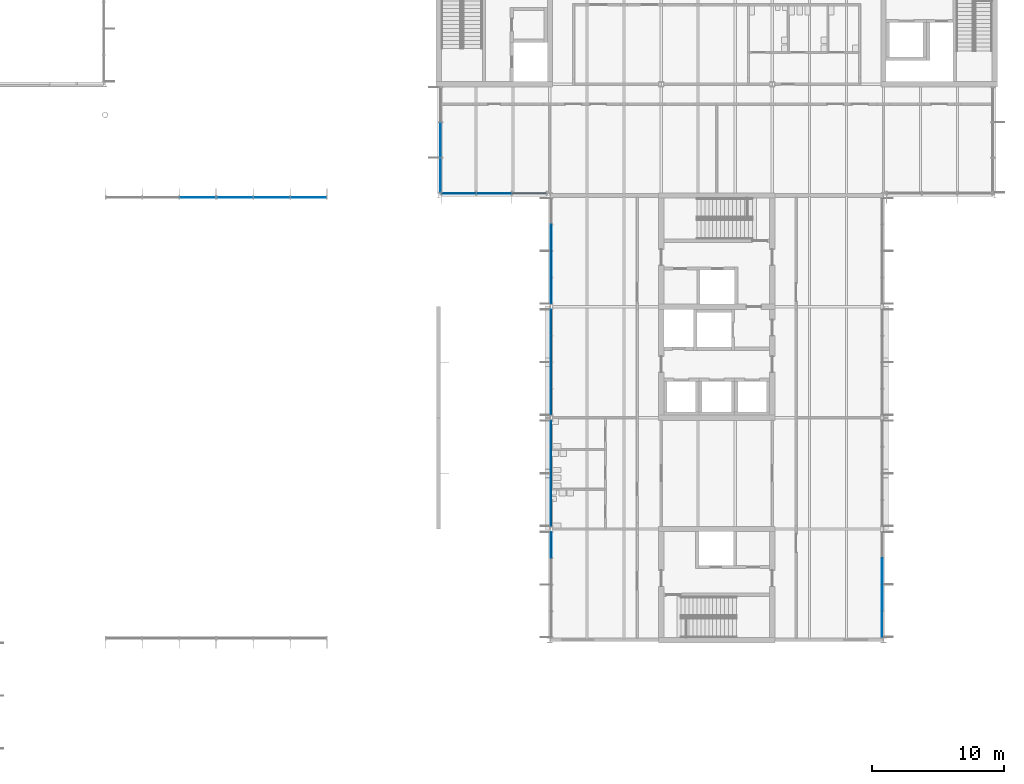
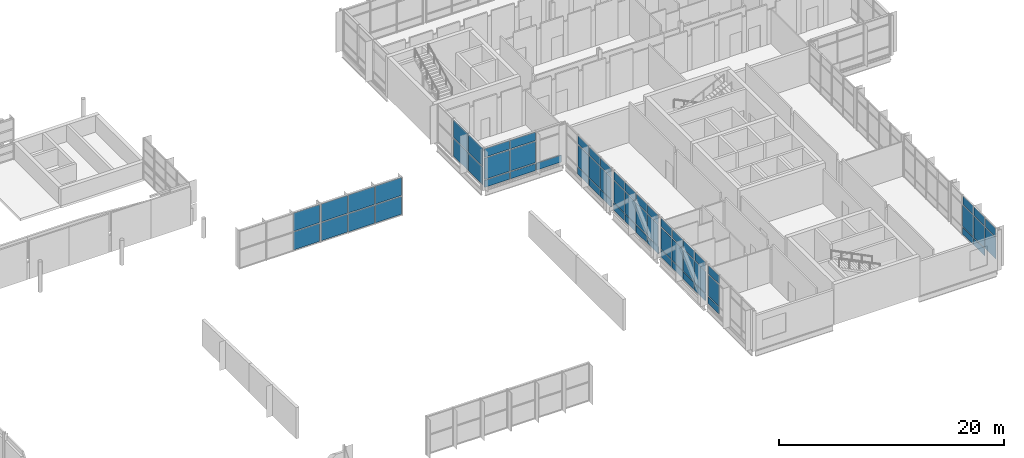
# One storey, part 33 of 72: 63 plates, 9 elements without a shape of their own.
"""IFC4 building model written with IfcOpenShell, lengths in metres."""

from ifc_helpers import new_model, si_unit, direction, frame, origin, origin_2d, place, context, subcontext, project, spatial, rectangle, extrude, material, layer, layer_set, type_object, element, aggregate, save


model = new_model("IFC4")

# Units and contexts
model_context = context("Model", 3, precision=1e-05, world=origin(), true_north=direction((0.0, 1.0)))
body_context = subcontext(model_context, "Body", "Model", "MODEL_VIEW")
ifc_project = project(units=[si_unit("LENGTHUNIT", "METRE"), si_unit("AREAUNIT", "SQUARE_METRE"), si_unit("VOLUMEUNIT", "CUBIC_METRE"), si_unit("PLANEANGLEUNIT", "RADIAN"), si_unit("MASSUNIT", "GRAM", prefix="KILO")], contexts=[model_context])

# Site, building, storey
site_placement = place(None, origin())
site = spatial("IfcSite", under=ifc_project, at=site_placement, CompositionType="ELEMENT")
building_placement = place(site_placement, origin())
building = spatial("IfcBuilding", under=site, at=building_placement, Name="Hlaing Beacon Police Headquarters", CompositionType="ELEMENT")
storey_placement = place(building_placement, frame((0.0, 0.0, 14.39990234375)))
storey = spatial("IfcBuildingStorey", under=building, at=storey_placement, Name="L03", CompositionType="ELEMENT", Elevation=14.39990234375)

# Curtain wall, plate
ifc_material_1 = material(Name="Aluminium frame with solar control glazing", Category="aluminium")
curtain_wall_type_1 = type_object("IfcCurtainWallType", Name="Unitised curtain wall 8.00 x 4.37", PredefinedType="NOTDEFINED", material=ifc_material_1)
curtain_wall_1_placement = place(storey_placement, origin())
curtain_wall_1 = element("IfcCurtainWall", 1, at=curtain_wall_1_placement, inside=storey, type_object=curtain_wall_type_1, Name="ENV-CW-L03-E021", PredefinedType="NOTDEFINED")
ifc_material_2 = material(Name="Solar control glazing", Category="glass")
ifc_layer_1 = layer(ifc_material_2, 0.0439453125)
ifc_layer_set_1 = layer_set([ifc_layer_1], Name="Solar control glazing")
plate_type_1 = type_object("IfcPlateType", Name="Clear glazing panel 44", PredefinedType="CURTAIN_PANEL", material=ifc_layer_set_1)
plate_1_placement = place(storey_placement, frame((125.89990234375, 36.808837890625, 0.9501953125), z_axis=(0.0, 0.0, 1.0), x_axis=(0.0, 1.0, 0.0)))
plate_1 = element("IfcPlate", 2, at=plate_1_placement, type_object=plate_type_1, Name="CW-L03-E021 panel 2.2", PredefinedType="CURTAIN_PANEL", context=body_context, shape_type="SweptSolid", body=[
    extrude(rectangle(XDim=1.940185546875, YDim=0.0439453125, at=origin_2d()), origin(), (0.0, 0.0, 1.0), 2.300048828125),
])

# Curtain wall, plates
ifc_material_3 = material(Name="Aluminium frame with solar control glazing", Category="aluminium")
curtain_wall_type_2 = type_object("IfcCurtainWallType", Name="Unitised curtain wall 8.02 x 4.37", PredefinedType="NOTDEFINED", material=ifc_material_3)
curtain_wall_2_placement = place(storey_placement, origin())
curtain_wall_2 = element("IfcCurtainWall", 3, at=curtain_wall_2_placement, inside=storey, type_object=curtain_wall_type_2, Name="ENV-CW-L03-W036", PredefinedType="NOTDEFINED")
plate_2_placement = place(storey_placement, frame((100.89990234375, 64.004638671875, 0.9501953125), z_axis=(0.0, 0.0, 1.0), x_axis=(0.0, -1.0, 0.0)))
plate_2 = element("IfcPlate", 4, at=plate_2_placement, type_object=plate_type_1, Name="CW-L03-W036 panel 2.2", PredefinedType="CURTAIN_PANEL", context=body_context, shape_type="SweptSolid", body=[
    extrude(rectangle(XDim=1.94580078125, YDim=0.0439453125, at=origin_2d()), origin(), (0.0, 0.0, 1.0), 2.300048828125),
])
plate_3_placement = place(storey_placement, frame((100.89990234375, 60.00830078125, 0.9501953125), z_axis=(0.0, 0.0, 1.0), x_axis=(0.0, -1.0, 0.0)))
plate_3 = element("IfcPlate", 5, at=plate_3_placement, type_object=plate_type_1, Name="CW-L03-W036 panel 4.2", PredefinedType="CURTAIN_PANEL", context=body_context, shape_type="SweptSolid", body=[
    extrude(rectangle(XDim=1.915771484375, YDim=0.0439453125, at=origin_2d()), origin(), (0.0, 0.0, 1.0), 2.300048828125),
])

curtain_wall_3_placement = place(storey_placement, origin())
curtain_wall_3 = element("IfcCurtainWall", 6, at=curtain_wall_3_placement, inside=storey, type_object=curtain_wall_type_2, Name="ENV-CW-L03-W037", PredefinedType="NOTDEFINED")
plate_4_placement = place(storey_placement, frame((100.889892578125, 55.602294921875, 0.9501953125), z_axis=(0.0, 0.0, 1.0), x_axis=(0.0, -1.0, 0.0)))
plate_4 = element("IfcPlate", 7, at=plate_4_placement, type_object=plate_type_1, Name="CW-L03-W037 panel 2.2", PredefinedType="CURTAIN_PANEL", context=body_context, shape_type="SweptSolid", body=[
    extrude(rectangle(XDim=1.94482421875, YDim=0.0439453125, at=origin_2d()), origin(), (0.0, 0.0, 1.0), 2.300048828125),
])
plate_5_placement = place(storey_placement, frame((100.889892578125, 51.60791015625, 0.9501953125), z_axis=(0.0, 0.0, 1.0), x_axis=(0.0, -1.0, 0.0)))
plate_5 = element("IfcPlate", 8, at=plate_5_placement, type_object=plate_type_1, Name="CW-L03-W037 panel 4.2", PredefinedType="CURTAIN_PANEL", context=body_context, shape_type="SweptSolid", body=[
    extrude(rectangle(XDim=1.914794921875, YDim=0.0439453125, at=origin_2d()), origin(), (0.0, 0.0, 1.0), 2.300048828125),
])

curtain_wall_4_placement = place(storey_placement, origin())
curtain_wall_4 = element("IfcCurtainWall", 9, at=curtain_wall_4_placement, inside=storey, type_object=curtain_wall_type_2, Name="ENV-CW-L03-W038", PredefinedType="NOTDEFINED")
plate_6_placement = place(storey_placement, frame((100.889892578125, 47.202392578125, 0.9501953125), z_axis=(0.0, 0.0, 1.0), x_axis=(0.0, -1.0, 0.0)))
plate_6 = element("IfcPlate", 10, at=plate_6_placement, type_object=plate_type_1, Name="CW-L03-W038 panel 2.2", PredefinedType="CURTAIN_PANEL", context=body_context, shape_type="SweptSolid", body=[
    extrude(rectangle(XDim=1.94482421875, YDim=0.0439453125, at=origin_2d()), origin(), (0.0, 0.0, 1.0), 2.300048828125),
])
plate_7_placement = place(storey_placement, frame((100.889892578125, 43.207763671875, 0.9501953125), z_axis=(0.0, 0.0, 1.0), x_axis=(0.0, -1.0, 0.0)))
plate_7 = element("IfcPlate", 11, at=plate_7_placement, type_object=plate_type_1, Name="CW-L03-W038 panel 4.2", PredefinedType="CURTAIN_PANEL", context=body_context, shape_type="SweptSolid", body=[
    extrude(rectangle(XDim=1.914794921875, YDim=0.0439453125, at=origin_2d()), origin(), (0.0, 0.0, 1.0), 2.300048828125),
])

# Plate
ifc_material_4 = material(Name="Fritted solar control glazing", Category="glass")
ifc_layer_2 = layer(ifc_material_4, 0.0439453125)
ifc_layer_set_2 = layer_set([ifc_layer_2], Name="Fritted solar control glazing")
plate_type_2 = type_object("IfcPlateType", Name="Fritted glazing panel 44", PredefinedType="CURTAIN_PANEL", material=ifc_layer_set_2)
plate_8_placement = place(storey_placement, frame((125.89990234375, 34.823486328125, 0.9501953125), z_axis=(0.0, 0.0, 1.0), x_axis=(0.0, 1.0, 0.0)))
plate_8 = element("IfcPlate", 12, at=plate_8_placement, type_object=plate_type_2, Name="CW-L03-E021 panel 1.2", PredefinedType="CURTAIN_PANEL", context=body_context, shape_type="SweptSolid", body=[
    extrude(rectangle(XDim=1.910400390625, YDim=0.0439453125, at=origin_2d()), origin(), (0.0, 0.0, 1.0), 2.300048828125),
])

plate_9_placement = place(storey_placement, frame((125.89990234375, 38.80908203125, 0.9501953125), z_axis=(0.0, 0.0, 1.0), x_axis=(0.0, 1.0, 0.0)))
plate_9 = element("IfcPlate", 13, at=plate_9_placement, type_object=plate_type_2, Name="CW-L03-E021 panel 3.2", PredefinedType="CURTAIN_PANEL", context=body_context, shape_type="SweptSolid", body=[
    extrude(rectangle(XDim=1.940185546875, YDim=0.0439453125, at=origin_2d()), origin(), (0.0, 0.0, 1.0), 2.300048828125),
])

plate_10_placement = place(storey_placement, frame((100.89990234375, 61.9990234375, 0.9501953125), z_axis=(0.0, 0.0, 1.0), x_axis=(0.0, -1.0, 0.0)))
plate_10 = element("IfcPlate", 14, at=plate_10_placement, type_object=plate_type_2, Name="CW-L03-W036 panel 3.2", PredefinedType="CURTAIN_PANEL", context=body_context, shape_type="SweptSolid", body=[
    extrude(rectangle(XDim=1.94580078125, YDim=0.0439453125, at=origin_2d()), origin(), (0.0, 0.0, 1.0), 2.300048828125),
])

plate_11_placement = place(storey_placement, frame((100.889892578125, 57.592041015625, 0.9501953125), z_axis=(0.0, 0.0, 1.0), x_axis=(0.0, -1.0, 0.0)))
plate_11 = element("IfcPlate", 15, at=plate_11_placement, type_object=plate_type_2, Name="CW-L03-W037 panel 1.2", PredefinedType="CURTAIN_PANEL", context=body_context, shape_type="SweptSolid", body=[
    extrude(rectangle(XDim=1.914794921875, YDim=0.0439453125, at=origin_2d()), origin(), (0.0, 0.0, 1.0), 2.300048828125),
])

plate_12_placement = place(storey_placement, frame((100.889892578125, 53.59765625, 0.9501953125), z_axis=(0.0, 0.0, 1.0), x_axis=(0.0, -1.0, 0.0)))
plate_12 = element("IfcPlate", 16, at=plate_12_placement, type_object=plate_type_2, Name="CW-L03-W037 panel 3.2", PredefinedType="CURTAIN_PANEL", context=body_context, shape_type="SweptSolid", body=[
    extrude(rectangle(XDim=1.94482421875, YDim=0.0439453125, at=origin_2d()), origin(), (0.0, 0.0, 1.0), 2.300048828125),
])

plate_13_placement = place(storey_placement, frame((100.889892578125, 49.192138671875, 0.9501953125), z_axis=(0.0, 0.0, 1.0), x_axis=(0.0, -1.0, 0.0)))
plate_13 = element("IfcPlate", 17, at=plate_13_placement, type_object=plate_type_2, Name="CW-L03-W038 panel 1.2", PredefinedType="CURTAIN_PANEL", context=body_context, shape_type="SweptSolid", body=[
    extrude(rectangle(XDim=1.914794921875, YDim=0.0439453125, at=origin_2d()), origin(), (0.0, 0.0, 1.0), 2.300048828125),
])

plate_14_placement = place(storey_placement, frame((100.889892578125, 45.197509765625, 0.9501953125), z_axis=(0.0, 0.0, 1.0), x_axis=(0.0, -1.0, 0.0)))
plate_14 = element("IfcPlate", 18, at=plate_14_placement, type_object=plate_type_2, Name="CW-L03-W038 panel 3.2", PredefinedType="CURTAIN_PANEL", context=body_context, shape_type="SweptSolid", body=[
    extrude(rectangle(XDim=1.94482421875, YDim=0.0439453125, at=origin_2d()), origin(), (0.0, 0.0, 1.0), 2.300048828125),
])

# Curtain wall, plate
curtain_wall_5_placement = place(storey_placement, origin())
curtain_wall_5 = element("IfcCurtainWall", 19, at=curtain_wall_5_placement, inside=storey, type_object=curtain_wall_type_2, Name="ENV-CW-L03-W039", PredefinedType="NOTDEFINED")
plate_15_placement = place(storey_placement, frame((100.89990234375, 40.791748046875, 0.9501953125), z_axis=(0.0, 0.0, 1.0), x_axis=(0.0, -1.0, 0.0)))
plate_15 = element("IfcPlate", 20, at=plate_15_placement, type_object=plate_type_2, Name="CW-L03-W039 panel 1.2", PredefinedType="CURTAIN_PANEL", context=body_context, shape_type="SweptSolid", body=[
    extrude(rectangle(XDim=1.915771484375, YDim=0.0439453125, at=origin_2d()), origin(), (0.0, 0.0, 1.0), 2.300048828125),
])

# Plate
ifc_material_5 = material(Name="Insulated aluminium spandrel", Category="aluminium")
ifc_layer_3 = layer(ifc_material_5, 0.06005859375)
ifc_layer_set_3 = layer_set([ifc_layer_3], Name="Insulated aluminium spandrel")
plate_type_3 = type_object("IfcPlateType", Name="Insulated spandrel panel 60", PredefinedType="CURTAIN_PANEL", material=ifc_layer_set_3)
plate_16_placement = place(storey_placement, frame((125.89990234375, 36.808837890625, 0.10009765625), z_axis=(0.0, 0.0, 1.0), x_axis=(0.0, 1.0, 0.0)))
plate_16 = element("IfcPlate", 21, at=plate_16_placement, type_object=plate_type_3, Name="CW-L03-E021 panel 2.1", PredefinedType="CURTAIN_PANEL", context=body_context, shape_type="SweptSolid", body=[
    extrude(rectangle(XDim=1.940185546875, YDim=0.06005859375, at=origin_2d()), origin(), (0.0, 0.0, 1.0), 0.75),
])

plate_17_placement = place(storey_placement, frame((125.89990234375, 38.80908203125, 0.10009765625), z_axis=(0.0, 0.0, 1.0), x_axis=(0.0, 1.0, 0.0)))
plate_17 = element("IfcPlate", 22, at=plate_17_placement, type_object=plate_type_3, Name="CW-L03-E021 panel 3.1", PredefinedType="CURTAIN_PANEL", context=body_context, shape_type="SweptSolid", body=[
    extrude(rectangle(XDim=1.940185546875, YDim=0.06005859375, at=origin_2d()), origin(), (0.0, 0.0, 1.0), 0.75),
])

# Curtain wall, plates
ifc_material_6 = material(Name="Aluminium frame with solar control glazing", Category="aluminium")
curtain_wall_type_3 = type_object("IfcCurtainWallType", Name="Structural glazed gable wall 8.06 x 4.37", PredefinedType="NOTDEFINED", material=ifc_material_6)
curtain_wall_6_placement = place(storey_placement, origin())
curtain_wall_6 = element("IfcCurtainWall", 23, at=curtain_wall_6_placement, inside=storey, type_object=curtain_wall_type_3, Name="ENV-CW-L03-S035", PredefinedType="NOTDEFINED")
ifc_material_7 = material(Name="Insulated aluminium spandrel", Category="aluminium")
ifc_layer_4 = layer(ifc_material_7, 0.080078125)
ifc_layer_set_4 = layer_set([ifc_layer_4], Name="Insulated aluminium spandrel")
plate_type_4 = type_object("IfcPlateType", Name="Insulated spandrel panel 80", PredefinedType="CURTAIN_PANEL", material=ifc_layer_set_4)
plate_18_placement = place(storey_placement, frame((93.913818359375, 67.35009765625, 0.10009765625), z_axis=(0.0, 0.0, 1.0), x_axis=(1.0, 0.0, 0.0)))
plate_18 = element("IfcPlate", 24, at=plate_18_placement, type_object=plate_type_4, Name="CW-L03-S035 panel 1.1", PredefinedType="CURTAIN_PANEL", context=body_context, shape_type="SweptSolid", body=[
    extrude(rectangle(XDim=2.56787109375, YDim=0.080078125, at=origin_2d()), origin(), (0.0, 0.0, 1.0), 0.75),
])
plate_19_placement = place(storey_placement, frame((96.58154296875, 67.35009765625, 0.10009765625), z_axis=(0.0, 0.0, 1.0), x_axis=(1.0, 0.0, 0.0)))
plate_19 = element("IfcPlate", 25, at=plate_19_placement, type_object=plate_type_4, Name="CW-L03-S035 panel 2.1", PredefinedType="CURTAIN_PANEL", context=body_context, shape_type="SweptSolid", body=[
    extrude(rectangle(XDim=2.607666015625, YDim=0.080078125, at=origin_2d()), origin(), (0.0, 0.0, 1.0), 0.75),
])
plate_20_placement = place(storey_placement, frame((99.24951171875, 67.35009765625, 0.10009765625), z_axis=(0.0, 0.0, 1.0), x_axis=(1.0, 0.0, 0.0)))
plate_20 = element("IfcPlate", 26, at=plate_20_placement, type_object=plate_type_4, Name="CW-L03-S035 panel 3.1", PredefinedType="CURTAIN_PANEL", context=body_context, shape_type="SweptSolid", body=[
    extrude(rectangle(XDim=2.56787109375, YDim=0.080078125, at=origin_2d()), origin(), (0.0, 0.0, 1.0), 0.75),
])

# Plate
plate_21_placement = place(storey_placement, frame((100.89990234375, 64.004638671875, 0.10009765625), z_axis=(0.0, 0.0, 1.0), x_axis=(0.0, -1.0, 0.0)))
plate_21 = element("IfcPlate", 27, at=plate_21_placement, type_object=plate_type_4, Name="CW-L03-W036 panel 2.1", PredefinedType="CURTAIN_PANEL", context=body_context, shape_type="SweptSolid", body=[
    extrude(rectangle(XDim=1.94580078125, YDim=0.080078125, at=origin_2d()), origin(), (0.0, 0.0, 1.0), 0.75),
])

plate_22_placement = place(storey_placement, frame((100.89990234375, 61.9990234375, 0.10009765625), z_axis=(0.0, 0.0, 1.0), x_axis=(0.0, -1.0, 0.0)))
plate_22 = element("IfcPlate", 28, at=plate_22_placement, type_object=plate_type_4, Name="CW-L03-W036 panel 3.1", PredefinedType="CURTAIN_PANEL", context=body_context, shape_type="SweptSolid", body=[
    extrude(rectangle(XDim=1.94580078125, YDim=0.080078125, at=origin_2d()), origin(), (0.0, 0.0, 1.0), 0.75),
])

plate_23_placement = place(storey_placement, frame((100.89990234375, 60.00830078125, 0.10009765625), z_axis=(0.0, 0.0, 1.0), x_axis=(0.0, -1.0, 0.0)))
plate_23 = element("IfcPlate", 29, at=plate_23_placement, type_object=plate_type_4, Name="CW-L03-W036 panel 4.1", PredefinedType="CURTAIN_PANEL", context=body_context, shape_type="SweptSolid", body=[
    extrude(rectangle(XDim=1.915771484375, YDim=0.080078125, at=origin_2d()), origin(), (0.0, 0.0, 1.0), 0.75),
])

plate_24_placement = place(storey_placement, frame((100.889892578125, 57.592041015625, 0.10009765625), z_axis=(0.0, 0.0, 1.0), x_axis=(0.0, -1.0, 0.0)))
plate_24 = element("IfcPlate", 30, at=plate_24_placement, type_object=plate_type_4, Name="CW-L03-W037 panel 1.1", PredefinedType="CURTAIN_PANEL", context=body_context, shape_type="SweptSolid", body=[
    extrude(rectangle(XDim=1.914794921875, YDim=0.080078125, at=origin_2d()), origin(), (0.0, 0.0, 1.0), 0.75),
])

plate_25_placement = place(storey_placement, frame((100.889892578125, 55.602294921875, 0.10009765625), z_axis=(0.0, 0.0, 1.0), x_axis=(0.0, -1.0, 0.0)))
plate_25 = element("IfcPlate", 31, at=plate_25_placement, type_object=plate_type_4, Name="CW-L03-W037 panel 2.1", PredefinedType="CURTAIN_PANEL", context=body_context, shape_type="SweptSolid", body=[
    extrude(rectangle(XDim=1.94482421875, YDim=0.080078125, at=origin_2d()), origin(), (0.0, 0.0, 1.0), 0.75),
])

plate_26_placement = place(storey_placement, frame((100.889892578125, 53.59765625, 0.10009765625), z_axis=(0.0, 0.0, 1.0), x_axis=(0.0, -1.0, 0.0)))
plate_26 = element("IfcPlate", 32, at=plate_26_placement, type_object=plate_type_4, Name="CW-L03-W037 panel 3.1", PredefinedType="CURTAIN_PANEL", context=body_context, shape_type="SweptSolid", body=[
    extrude(rectangle(XDim=1.94482421875, YDim=0.080078125, at=origin_2d()), origin(), (0.0, 0.0, 1.0), 0.75),
])

plate_27_placement = place(storey_placement, frame((100.889892578125, 51.60791015625, 0.10009765625), z_axis=(0.0, 0.0, 1.0), x_axis=(0.0, -1.0, 0.0)))
plate_27 = element("IfcPlate", 33, at=plate_27_placement, type_object=plate_type_4, Name="CW-L03-W037 panel 4.1", PredefinedType="CURTAIN_PANEL", context=body_context, shape_type="SweptSolid", body=[
    extrude(rectangle(XDim=1.914794921875, YDim=0.080078125, at=origin_2d()), origin(), (0.0, 0.0, 1.0), 0.75),
])

plate_28_placement = place(storey_placement, frame((100.889892578125, 49.192138671875, 0.10009765625), z_axis=(0.0, 0.0, 1.0), x_axis=(0.0, -1.0, 0.0)))
plate_28 = element("IfcPlate", 34, at=plate_28_placement, type_object=plate_type_4, Name="CW-L03-W038 panel 1.1", PredefinedType="CURTAIN_PANEL", context=body_context, shape_type="SweptSolid", body=[
    extrude(rectangle(XDim=1.914794921875, YDim=0.080078125, at=origin_2d()), origin(), (0.0, 0.0, 1.0), 0.75),
])

plate_29_placement = place(storey_placement, frame((100.889892578125, 47.202392578125, 0.10009765625), z_axis=(0.0, 0.0, 1.0), x_axis=(0.0, -1.0, 0.0)))
plate_29 = element("IfcPlate", 35, at=plate_29_placement, type_object=plate_type_4, Name="CW-L03-W038 panel 2.1", PredefinedType="CURTAIN_PANEL", context=body_context, shape_type="SweptSolid", body=[
    extrude(rectangle(XDim=1.94482421875, YDim=0.080078125, at=origin_2d()), origin(), (0.0, 0.0, 1.0), 0.75),
])

plate_30_placement = place(storey_placement, frame((100.889892578125, 45.197509765625, 0.10009765625), z_axis=(0.0, 0.0, 1.0), x_axis=(0.0, -1.0, 0.0)))
plate_30 = element("IfcPlate", 36, at=plate_30_placement, type_object=plate_type_4, Name="CW-L03-W038 panel 3.1", PredefinedType="CURTAIN_PANEL", context=body_context, shape_type="SweptSolid", body=[
    extrude(rectangle(XDim=1.94482421875, YDim=0.080078125, at=origin_2d()), origin(), (0.0, 0.0, 1.0), 0.75),
])

plate_31_placement = place(storey_placement, frame((100.889892578125, 43.207763671875, 0.10009765625), z_axis=(0.0, 0.0, 1.0), x_axis=(0.0, -1.0, 0.0)))
plate_31 = element("IfcPlate", 37, at=plate_31_placement, type_object=plate_type_4, Name="CW-L03-W038 panel 4.1", PredefinedType="CURTAIN_PANEL", context=body_context, shape_type="SweptSolid", body=[
    extrude(rectangle(XDim=1.914794921875, YDim=0.080078125, at=origin_2d()), origin(), (0.0, 0.0, 1.0), 0.75),
])

plate_32_placement = place(storey_placement, frame((100.89990234375, 40.791748046875, 0.10009765625), z_axis=(0.0, 0.0, 1.0), x_axis=(0.0, -1.0, 0.0)))
plate_32 = element("IfcPlate", 38, at=plate_32_placement, type_object=plate_type_4, Name="CW-L03-W039 panel 1.1", PredefinedType="CURTAIN_PANEL", context=body_context, shape_type="SweptSolid", body=[
    extrude(rectangle(XDim=1.915771484375, YDim=0.080078125, at=origin_2d()), origin(), (0.0, 0.0, 1.0), 0.75),
])

ifc_material_8 = material(Name="Laminated solar control glazing", Category="glass")
ifc_layer_5 = layer(ifc_material_8, 0.031982421875)
ifc_layer_set_5 = layer_set([ifc_layer_5], Name="Laminated solar control glazing")
plate_type_5 = type_object("IfcPlateType", Name="Laminated glazing panel 32", PredefinedType="CURTAIN_PANEL", material=ifc_layer_set_5)
plate_33_placement = place(storey_placement, frame((93.913818359375, 67.35009765625, 3.35009765625), z_axis=(0.0, 0.0, 1.0), x_axis=(1.0, 0.0, 0.0)))
plate_33 = element("IfcPlate", 39, at=plate_33_placement, type_object=plate_type_5, Name="CW-L03-S035 panel 1.3", PredefinedType="CURTAIN_PANEL", context=body_context, shape_type="SweptSolid", body=[
    extrude(rectangle(XDim=2.56787109375, YDim=0.031982421875, at=origin_2d()), origin(), (0.0, 0.0, 1.0), 0.919921875),
])

plate_34_placement = place(storey_placement, frame((96.58154296875, 67.35009765625, 3.35009765625), z_axis=(0.0, 0.0, 1.0), x_axis=(1.0, 0.0, 0.0)))
plate_34 = element("IfcPlate", 40, at=plate_34_placement, type_object=plate_type_5, Name="CW-L03-S035 panel 2.3", PredefinedType="CURTAIN_PANEL", context=body_context, shape_type="SweptSolid", body=[
    extrude(rectangle(XDim=2.607666015625, YDim=0.031982421875, at=origin_2d()), origin(), (0.0, 0.0, 1.0), 0.919921875),
])

# Curtain wall, plates
ifc_material_9 = material(Name="Aluminium frame with solar control glazing", Category="aluminium")
curtain_wall_type_4 = type_object("IfcCurtainWallType", Name="Structural glazed gable wall 8.40 x 4.20", PredefinedType="NOTDEFINED", material=ifc_material_9)
curtain_wall_7_placement = place(storey_placement, origin())
curtain_wall_7 = element("IfcCurtainWall", 41, at=curtain_wall_7_placement, inside=storey, type_object=curtain_wall_type_4, Name="ENV-CW-L03-N001", PredefinedType="NOTDEFINED")
ifc_material_10 = material(Name="Laminated solar control glazing", Category="glass")
ifc_layer_6 = layer(ifc_material_10, 0.0439453125)
ifc_layer_set_6 = layer_set([ifc_layer_6], Name="Laminated solar control glazing")
plate_type_6 = type_object("IfcPlateType", Name="Laminated glazing panel 44", PredefinedType="CURTAIN_PANEL", material=ifc_layer_set_6)
plate_35_placement = place(storey_placement, frame((82.580078125, 67.050048828125, 0.40478515625), z_axis=(0.0, 0.0, 1.0), x_axis=(-1.0, 0.0, 0.0)))
plate_35 = element("IfcPlate", 42, at=plate_35_placement, type_object=plate_type_6, Name="CW-L03-N001 panel 1.1", PredefinedType="CURTAIN_PANEL", context=body_context, shape_type="SweptSolid", body=[
    extrude(rectangle(XDim=2.679931640625, YDim=0.0439453125, at=origin_2d()), origin(), (0.0, 0.0, 1.0), 1.947998046875),
])
plate_36_placement = place(storey_placement, frame((82.580078125, 67.050048828125, 2.452880859375), z_axis=(0.0, 0.0, 1.0), x_axis=(-1.0, 0.0, 0.0)))
plate_36 = element("IfcPlate", 43, at=plate_36_placement, type_object=plate_type_6, Name="CW-L03-N001 panel 1.2", PredefinedType="CURTAIN_PANEL", context=body_context, shape_type="SweptSolid", body=[
    extrude(rectangle(XDim=2.679931640625, YDim=0.0439453125, at=origin_2d()), origin(), (0.0, 0.0, 1.0), 1.947265625),
])
plate_37_placement = place(storey_placement, frame((79.800048828125, 67.050048828125, 0.40478515625), z_axis=(0.0, 0.0, 1.0), x_axis=(-1.0, 0.0, 0.0)))
plate_37 = element("IfcPlate", 44, at=plate_37_placement, type_object=plate_type_6, Name="CW-L03-N001 panel 2.1", PredefinedType="CURTAIN_PANEL", context=body_context, shape_type="SweptSolid", body=[
    extrude(rectangle(XDim=2.719970703125, YDim=0.0439453125, at=origin_2d()), origin(), (0.0, 0.0, 1.0), 1.947998046875),
])
plate_38_placement = place(storey_placement, frame((79.800048828125, 67.050048828125, 2.452880859375), z_axis=(0.0, 0.0, 1.0), x_axis=(-1.0, 0.0, 0.0)))
plate_38 = element("IfcPlate", 45, at=plate_38_placement, type_object=plate_type_6, Name="CW-L03-N001 panel 2.2", PredefinedType="CURTAIN_PANEL", context=body_context, shape_type="SweptSolid", body=[
    extrude(rectangle(XDim=2.719970703125, YDim=0.0439453125, at=origin_2d()), origin(), (0.0, 0.0, 1.0), 1.947265625),
])
plate_39_placement = place(storey_placement, frame((77.02001953125, 67.050048828125, 0.40478515625), z_axis=(0.0, 0.0, 1.0), x_axis=(-1.0, 0.0, 0.0)))
plate_39 = element("IfcPlate", 46, at=plate_39_placement, type_object=plate_type_6, Name="CW-L03-N001 panel 3.1", PredefinedType="CURTAIN_PANEL", context=body_context, shape_type="SweptSolid", body=[
    extrude(rectangle(XDim=2.679931640625, YDim=0.0439453125, at=origin_2d()), origin(), (0.0, 0.0, 1.0), 1.947998046875),
])
plate_40_placement = place(storey_placement, frame((77.02001953125, 67.050048828125, 2.452880859375), z_axis=(0.0, 0.0, 1.0), x_axis=(-1.0, 0.0, 0.0)))
plate_40 = element("IfcPlate", 47, at=plate_40_placement, type_object=plate_type_6, Name="CW-L03-N001 panel 3.2", PredefinedType="CURTAIN_PANEL", context=body_context, shape_type="SweptSolid", body=[
    extrude(rectangle(XDim=2.679931640625, YDim=0.0439453125, at=origin_2d()), origin(), (0.0, 0.0, 1.0), 1.947265625),
])
aggregate(curtain_wall_7, [plate_35, plate_36, plate_37, plate_38, plate_39, plate_40])

curtain_wall_8_placement = place(storey_placement, origin())
curtain_wall_8 = element("IfcCurtainWall", 48, at=curtain_wall_8_placement, inside=storey, type_object=curtain_wall_type_4, Name="ENV-CW-L03-N002", PredefinedType="NOTDEFINED")
plate_41_placement = place(storey_placement, frame((74.179931640625, 67.050048828125, 0.40478515625), z_axis=(0.0, 0.0, 1.0), x_axis=(-1.0, 0.0, 0.0)))
plate_41 = element("IfcPlate", 49, at=plate_41_placement, type_object=plate_type_6, Name="CW-L03-N002 panel 1.1", PredefinedType="CURTAIN_PANEL", context=body_context, shape_type="SweptSolid", body=[
    extrude(rectangle(XDim=2.679931640625, YDim=0.0439453125, at=origin_2d()), origin(), (0.0, 0.0, 1.0), 1.947998046875),
])
plate_42_placement = place(storey_placement, frame((74.179931640625, 67.050048828125, 2.452880859375), z_axis=(0.0, 0.0, 1.0), x_axis=(-1.0, 0.0, 0.0)))
plate_42 = element("IfcPlate", 50, at=plate_42_placement, type_object=plate_type_6, Name="CW-L03-N002 panel 1.2", PredefinedType="CURTAIN_PANEL", context=body_context, shape_type="SweptSolid", body=[
    extrude(rectangle(XDim=2.679931640625, YDim=0.0439453125, at=origin_2d()), origin(), (0.0, 0.0, 1.0), 1.947265625),
])
aggregate(curtain_wall_8, [plate_41, plate_42])

ifc_material_11 = material(Name="Aluminium frame with solar control glazing", Category="aluminium")
curtain_wall_type_5 = type_object("IfcCurtainWallType", Name="Structural glazed gable wall 8.02 x 4.16", PredefinedType="NOTDEFINED", material=ifc_material_11)
curtain_wall_9_placement = place(storey_placement, origin())
curtain_wall_9 = element("IfcCurtainWall", 51, at=curtain_wall_9_placement, inside=storey, type_object=curtain_wall_type_5, Name="ENV-CW-L03-W034", PredefinedType="NOTDEFINED")
plate_43_placement = place(storey_placement, frame((92.550048828125, 71.38818359375, 0.30810546875), z_axis=(0.0, 0.0, 1.0), x_axis=(0.0, -1.0, 0.0)))
plate_43 = element("IfcPlate", 52, at=plate_43_placement, type_object=plate_type_6, Name="CW-L03-W034 panel 2.1", PredefinedType="CURTAIN_PANEL", context=body_context, shape_type="SweptSolid", body=[
    extrude(rectangle(XDim=2.594482421875, YDim=0.0439453125, at=origin_2d()), origin(), (0.0, 0.0, 1.0), 1.930908203125),
])
plate_44_placement = place(storey_placement, frame((92.550048828125, 71.38818359375, 2.3388671875), z_axis=(0.0, 0.0, 1.0), x_axis=(0.0, -1.0, 0.0)))
plate_44 = element("IfcPlate", 53, at=plate_44_placement, type_object=plate_type_6, Name="CW-L03-W034 panel 2.2", PredefinedType="CURTAIN_PANEL", context=body_context, shape_type="SweptSolid", body=[
    extrude(rectangle(XDim=2.594482421875, YDim=0.0439453125, at=origin_2d()), origin(), (0.0, 0.0, 1.0), 1.93115234375),
])
plate_45_placement = place(storey_placement, frame((92.550048828125, 68.733642578125, 0.30810546875), z_axis=(0.0, 0.0, 1.0), x_axis=(0.0, -1.0, 0.0)))
plate_45 = element("IfcPlate", 54, at=plate_45_placement, type_object=plate_type_6, Name="CW-L03-W034 panel 3.1", PredefinedType="CURTAIN_PANEL", context=body_context, shape_type="SweptSolid", body=[
    extrude(rectangle(XDim=2.554443359375, YDim=0.0439453125, at=origin_2d()), origin(), (0.0, 0.0, 1.0), 1.930908203125),
])
plate_46_placement = place(storey_placement, frame((92.550048828125, 68.733642578125, 2.3388671875), z_axis=(0.0, 0.0, 1.0), x_axis=(0.0, -1.0, 0.0)))
plate_46 = element("IfcPlate", 55, at=plate_46_placement, type_object=plate_type_6, Name="CW-L03-W034 panel 3.2", PredefinedType="CURTAIN_PANEL", context=body_context, shape_type="SweptSolid", body=[
    extrude(rectangle(XDim=2.554443359375, YDim=0.0439453125, at=origin_2d()), origin(), (0.0, 0.0, 1.0), 1.93115234375),
])
aggregate(curtain_wall_9, [plate_43, plate_44, plate_45, plate_46])

# Plate
plate_47_placement = place(storey_placement, frame((93.913818359375, 67.35009765625, 0.9501953125), z_axis=(0.0, 0.0, 1.0), x_axis=(1.0, 0.0, 0.0)))
plate_47 = element("IfcPlate", 56, at=plate_47_placement, type_object=plate_type_6, Name="CW-L03-S035 panel 1.2", PredefinedType="CURTAIN_PANEL", context=body_context, shape_type="SweptSolid", body=[
    extrude(rectangle(XDim=2.56787109375, YDim=0.0439453125, at=origin_2d()), origin(), (0.0, 0.0, 1.0), 2.300048828125),
])

plate_48_placement = place(storey_placement, frame((96.58154296875, 67.35009765625, 0.9501953125), z_axis=(0.0, 0.0, 1.0), x_axis=(1.0, 0.0, 0.0)))
plate_48 = element("IfcPlate", 57, at=plate_48_placement, type_object=plate_type_6, Name="CW-L03-S035 panel 2.2", PredefinedType="CURTAIN_PANEL", context=body_context, shape_type="SweptSolid", body=[
    extrude(rectangle(XDim=2.607666015625, YDim=0.0439453125, at=origin_2d()), origin(), (0.0, 0.0, 1.0), 2.300048828125),
])

aggregate(curtain_wall_6, [plate_18, plate_47, plate_33, plate_19, plate_48, plate_34, plate_20])

ifc_material_12 = material(Name="Perforated aluminium", Category="aluminium")
ifc_layer_7 = layer(ifc_material_12, 0.00390625)
ifc_layer_set_7 = layer_set([ifc_layer_7], Name="Perforated aluminium")
plate_type_7 = type_object("IfcPlateType", Name="Perforated aluminium vent panel 4", PredefinedType="CURTAIN_PANEL", material=ifc_layer_set_7)
plate_49_placement = place(storey_placement, frame((125.89990234375, 34.823486328125, 3.35009765625), z_axis=(0.0, 0.0, 1.0), x_axis=(0.0, 1.0, 0.0)))
plate_49 = element("IfcPlate", 58, at=plate_49_placement, type_object=plate_type_7, Name="CW-L03-E021 panel 1.3", PredefinedType="CURTAIN_PANEL", context=body_context, shape_type="SweptSolid", body=[
    extrude(rectangle(XDim=1.910400390625, YDim=0.00390625, at=origin_2d()), origin(), (0.0, 0.0, 1.0), 0.919921875),
])

plate_50_placement = place(storey_placement, frame((125.89990234375, 36.808837890625, 3.35009765625), z_axis=(0.0, 0.0, 1.0), x_axis=(0.0, 1.0, 0.0)))
plate_50 = element("IfcPlate", 59, at=plate_50_placement, type_object=plate_type_7, Name="CW-L03-E021 panel 2.3", PredefinedType="CURTAIN_PANEL", context=body_context, shape_type="SweptSolid", body=[
    extrude(rectangle(XDim=1.940185546875, YDim=0.00390625, at=origin_2d()), origin(), (0.0, 0.0, 1.0), 0.919921875),
])

plate_51_placement = place(storey_placement, frame((125.89990234375, 38.80908203125, 3.35009765625), z_axis=(0.0, 0.0, 1.0), x_axis=(0.0, 1.0, 0.0)))
plate_51 = element("IfcPlate", 60, at=plate_51_placement, type_object=plate_type_7, Name="CW-L03-E021 panel 3.3", PredefinedType="CURTAIN_PANEL", context=body_context, shape_type="SweptSolid", body=[
    extrude(rectangle(XDim=1.940185546875, YDim=0.00390625, at=origin_2d()), origin(), (0.0, 0.0, 1.0), 0.919921875),
])

aggregate(curtain_wall_1, [plate_8, plate_49, plate_16, plate_1, plate_50, plate_17, plate_9, plate_51])

plate_52_placement = place(storey_placement, frame((100.89990234375, 64.004638671875, 3.35009765625), z_axis=(0.0, 0.0, 1.0), x_axis=(0.0, -1.0, 0.0)))
plate_52 = element("IfcPlate", 61, at=plate_52_placement, type_object=plate_type_7, Name="CW-L03-W036 panel 2.3", PredefinedType="CURTAIN_PANEL", context=body_context, shape_type="SweptSolid", body=[
    extrude(rectangle(XDim=1.94580078125, YDim=0.00390625, at=origin_2d()), origin(), (0.0, 0.0, 1.0), 0.919921875),
])

plate_53_placement = place(storey_placement, frame((100.89990234375, 61.9990234375, 3.35009765625), z_axis=(0.0, 0.0, 1.0), x_axis=(0.0, -1.0, 0.0)))
plate_53 = element("IfcPlate", 62, at=plate_53_placement, type_object=plate_type_7, Name="CW-L03-W036 panel 3.3", PredefinedType="CURTAIN_PANEL", context=body_context, shape_type="SweptSolid", body=[
    extrude(rectangle(XDim=1.94580078125, YDim=0.00390625, at=origin_2d()), origin(), (0.0, 0.0, 1.0), 0.919921875),
])

plate_54_placement = place(storey_placement, frame((100.89990234375, 60.00830078125, 3.35009765625), z_axis=(0.0, 0.0, 1.0), x_axis=(0.0, -1.0, 0.0)))
plate_54 = element("IfcPlate", 63, at=plate_54_placement, type_object=plate_type_7, Name="CW-L03-W036 panel 4.3", PredefinedType="CURTAIN_PANEL", context=body_context, shape_type="SweptSolid", body=[
    extrude(rectangle(XDim=1.915771484375, YDim=0.00390625, at=origin_2d()), origin(), (0.0, 0.0, 1.0), 0.919921875),
])

aggregate(curtain_wall_2, [plate_21, plate_2, plate_52, plate_22, plate_10, plate_53, plate_23, plate_3, plate_54])

plate_55_placement = place(storey_placement, frame((100.889892578125, 57.592041015625, 3.35009765625), z_axis=(0.0, 0.0, 1.0), x_axis=(0.0, -1.0, 0.0)))
plate_55 = element("IfcPlate", 64, at=plate_55_placement, type_object=plate_type_7, Name="CW-L03-W037 panel 1.3", PredefinedType="CURTAIN_PANEL", context=body_context, shape_type="SweptSolid", body=[
    extrude(rectangle(XDim=1.914794921875, YDim=0.00390625, at=origin_2d()), origin(), (0.0, 0.0, 1.0), 0.919921875),
])

plate_56_placement = place(storey_placement, frame((100.889892578125, 55.602294921875, 3.35009765625), z_axis=(0.0, 0.0, 1.0), x_axis=(0.0, -1.0, 0.0)))
plate_56 = element("IfcPlate", 65, at=plate_56_placement, type_object=plate_type_7, Name="CW-L03-W037 panel 2.3", PredefinedType="CURTAIN_PANEL", context=body_context, shape_type="SweptSolid", body=[
    extrude(rectangle(XDim=1.94482421875, YDim=0.00390625, at=origin_2d()), origin(), (0.0, 0.0, 1.0), 0.919921875),
])

plate_57_placement = place(storey_placement, frame((100.889892578125, 53.59765625, 3.35009765625), z_axis=(0.0, 0.0, 1.0), x_axis=(0.0, -1.0, 0.0)))
plate_57 = element("IfcPlate", 66, at=plate_57_placement, type_object=plate_type_7, Name="CW-L03-W037 panel 3.3", PredefinedType="CURTAIN_PANEL", context=body_context, shape_type="SweptSolid", body=[
    extrude(rectangle(XDim=1.94482421875, YDim=0.00390625, at=origin_2d()), origin(), (0.0, 0.0, 1.0), 0.919921875),
])

plate_58_placement = place(storey_placement, frame((100.889892578125, 51.60791015625, 3.35009765625), z_axis=(0.0, 0.0, 1.0), x_axis=(0.0, -1.0, 0.0)))
plate_58 = element("IfcPlate", 67, at=plate_58_placement, type_object=plate_type_7, Name="CW-L03-W037 panel 4.3", PredefinedType="CURTAIN_PANEL", context=body_context, shape_type="SweptSolid", body=[
    extrude(rectangle(XDim=1.914794921875, YDim=0.00390625, at=origin_2d()), origin(), (0.0, 0.0, 1.0), 0.919921875),
])

aggregate(curtain_wall_3, [plate_24, plate_11, plate_55, plate_25, plate_4, plate_56, plate_26, plate_12, plate_57, plate_27, plate_5, plate_58])

plate_59_placement = place(storey_placement, frame((100.889892578125, 49.192138671875, 3.35009765625), z_axis=(0.0, 0.0, 1.0), x_axis=(0.0, -1.0, 0.0)))
plate_59 = element("IfcPlate", 68, at=plate_59_placement, type_object=plate_type_7, Name="CW-L03-W038 panel 1.3", PredefinedType="CURTAIN_PANEL", context=body_context, shape_type="SweptSolid", body=[
    extrude(rectangle(XDim=1.914794921875, YDim=0.00390625, at=origin_2d()), origin(), (0.0, 0.0, 1.0), 0.919921875),
])

plate_60_placement = place(storey_placement, frame((100.889892578125, 47.202392578125, 3.35009765625), z_axis=(0.0, 0.0, 1.0), x_axis=(0.0, -1.0, 0.0)))
plate_60 = element("IfcPlate", 69, at=plate_60_placement, type_object=plate_type_7, Name="CW-L03-W038 panel 2.3", PredefinedType="CURTAIN_PANEL", context=body_context, shape_type="SweptSolid", body=[
    extrude(rectangle(XDim=1.94482421875, YDim=0.00390625, at=origin_2d()), origin(), (0.0, 0.0, 1.0), 0.919921875),
])

plate_61_placement = place(storey_placement, frame((100.889892578125, 45.197509765625, 3.35009765625), z_axis=(0.0, 0.0, 1.0), x_axis=(0.0, -1.0, 0.0)))
plate_61 = element("IfcPlate", 70, at=plate_61_placement, type_object=plate_type_7, Name="CW-L03-W038 panel 3.3", PredefinedType="CURTAIN_PANEL", context=body_context, shape_type="SweptSolid", body=[
    extrude(rectangle(XDim=1.94482421875, YDim=0.00390625, at=origin_2d()), origin(), (0.0, 0.0, 1.0), 0.919921875),
])

plate_62_placement = place(storey_placement, frame((100.889892578125, 43.207763671875, 3.35009765625), z_axis=(0.0, 0.0, 1.0), x_axis=(0.0, -1.0, 0.0)))
plate_62 = element("IfcPlate", 71, at=plate_62_placement, type_object=plate_type_7, Name="CW-L03-W038 panel 4.3", PredefinedType="CURTAIN_PANEL", context=body_context, shape_type="SweptSolid", body=[
    extrude(rectangle(XDim=1.914794921875, YDim=0.00390625, at=origin_2d()), origin(), (0.0, 0.0, 1.0), 0.919921875),
])

aggregate(curtain_wall_4, [plate_28, plate_13, plate_59, plate_29, plate_6, plate_60, plate_30, plate_14, plate_61, plate_31, plate_7, plate_62])

plate_63_placement = place(storey_placement, frame((100.89990234375, 40.791748046875, 3.35009765625), z_axis=(0.0, 0.0, 1.0), x_axis=(0.0, -1.0, 0.0)))
plate_63 = element("IfcPlate", 72, at=plate_63_placement, type_object=plate_type_7, Name="CW-L03-W039 panel 1.3", PredefinedType="CURTAIN_PANEL", context=body_context, shape_type="SweptSolid", body=[
    extrude(rectangle(XDim=1.915771484375, YDim=0.00390625, at=origin_2d()), origin(), (0.0, 0.0, 1.0), 0.919921875),
])

aggregate(curtain_wall_5, [plate_32, plate_15, plate_63])

save(model, "model.ifc")
